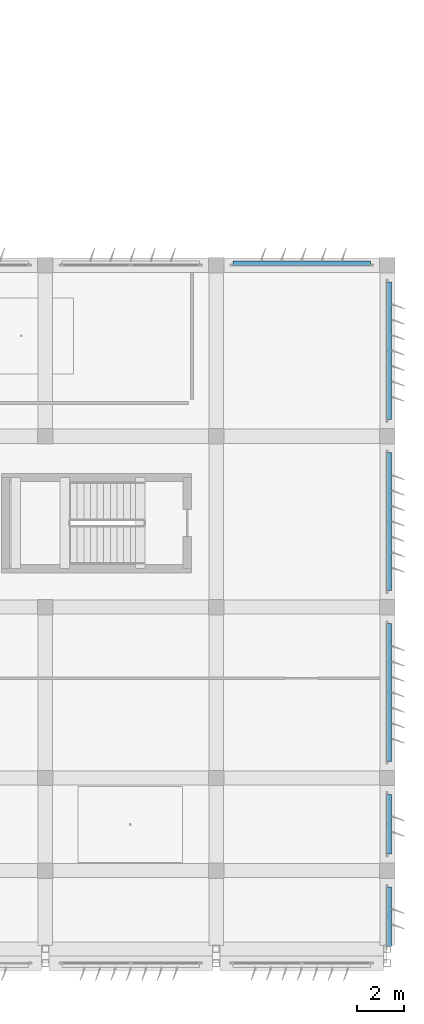
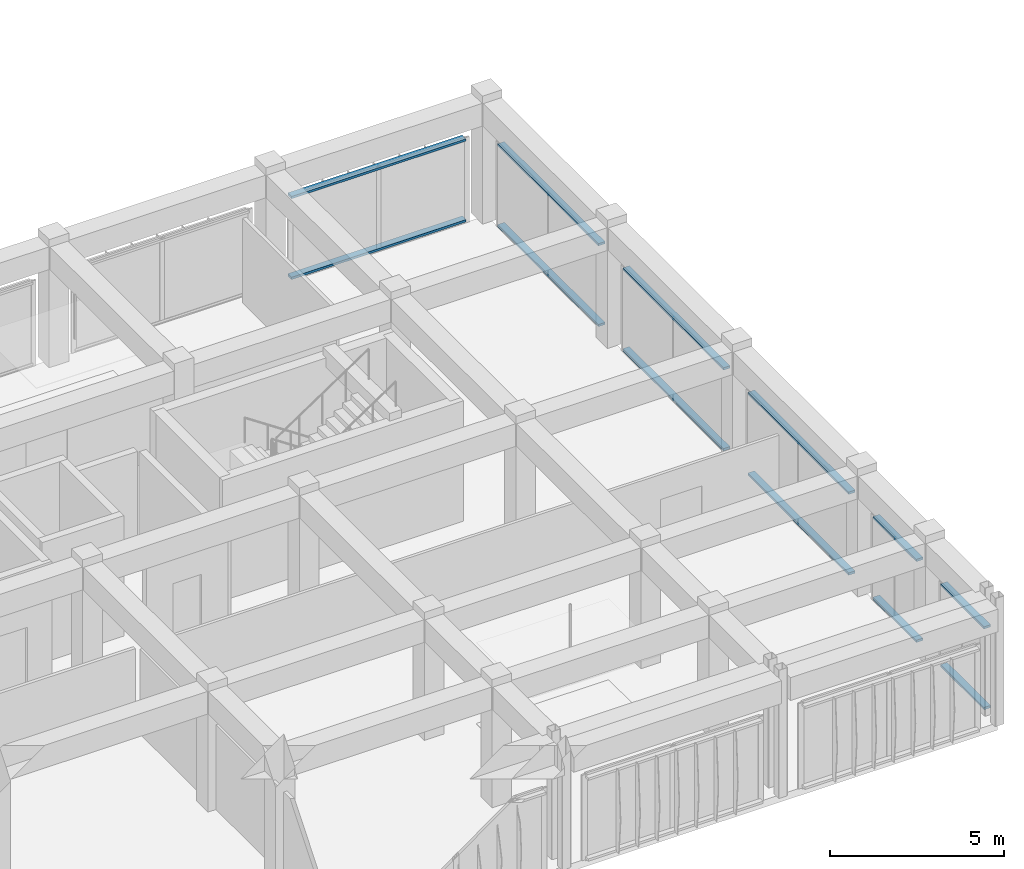
# One storey, part 46 of 56: 12 discrete accessories.
"""IFC4 building model written with IfcOpenShell, lengths in metres."""

from ifc_helpers import new_model, si_unit, direction, frame, origin, origin_2d, place, context, subcontext, project, spatial, rectangle, extrude, material, type_object, element, save


model = new_model("IFC4")

# Units and contexts
model_context = context("Model", 3, precision=1e-05, world=origin(), true_north=direction((0.0, 1.0)))
body_context = subcontext(model_context, "Body", "Model", "MODEL_VIEW")
ifc_project = project(units=[si_unit("LENGTHUNIT", "METRE"), si_unit("AREAUNIT", "SQUARE_METRE"), si_unit("VOLUMEUNIT", "CUBIC_METRE"), si_unit("PLANEANGLEUNIT", "RADIAN"), si_unit("MASSUNIT", "GRAM", prefix="KILO")], contexts=[model_context])

# Site, building, storey
site_placement = place(None, origin())
site = spatial("IfcSite", under=ifc_project, at=site_placement, CompositionType="ELEMENT")
building_placement = place(site_placement, origin())
building = spatial("IfcBuilding", under=site, at=building_placement, Name="Kazehaya Institute of Natural Sciences", CompositionType="ELEMENT")
storey_placement = place(building_placement, frame((0.0, 0.0, 28.800048828125)))
storey = spatial("IfcBuildingStorey", under=building, at=storey_placement, Name="L06", CompositionType="ELEMENT", Elevation=28.800048828125)

# Discrete accessories
ifc_material = material(Name="Aluminium alloy A6063S-T5", Category="aluminium")
discrete_accessory_type = type_object("IfcDiscreteAccessoryType", Name="ACC-BRK-01", PredefinedType="BRACKET", material=ifc_material)
for number, where, z_axis, x_axis, name in (
    (1, (115.800048828125, 35.675048828125, 0.039794921875), (0.0, 0.0, 1.0), (1.0, 0.0, 0.0), "L06 fin support outrigger rail 1"),
    (2, (115.800048828125, 35.675048828125, 2.8798828125), (0.0, 0.0, 1.0), (1.0, 0.0, 0.0), "L06 fin support outrigger rail 2"),
):
    element("IfcDiscreteAccessory", number, at=place(storey_placement, frame(where, z_axis=z_axis, x_axis=x_axis)), inside=storey, type_object=discrete_accessory_type, Name=name, PredefinedType="BRACKET", context=body_context, shape_type="SweptSolid", body=[
        extrude(rectangle(XDim=5.800048828125, YDim=0.219970703125, at=origin_2d()), origin(), (0.0, 0.0, 1.0), 0.080078125),
    ])
for number, where, z_axis, x_axis, name in (
    (3, (119.47509765625, 8.14990234375, 0.039794921875), (0.0, 0.0, 1.0), (0.0, -1.0, 0.0), "L06 fin support outrigger rail 1"),
    (4, (119.47509765625, 8.14990234375, 2.8798828125), (0.0, 0.0, 1.0), (0.0, -1.0, 0.0), "L06 fin support outrigger rail 2"),
    (5, (119.47509765625, 12.050048828125, 0.039794921875), (0.0, 0.0, 1.0), (0.0, -1.0, 0.0), "L06 fin support outrigger rail 1"),
    (6, (119.47509765625, 12.050048828125, 2.8798828125), (0.0, 0.0, 1.0), (0.0, -1.0, 0.0), "L06 fin support outrigger rail 2"),
):
    element("IfcDiscreteAccessory", number, at=place(storey_placement, frame(where, z_axis=z_axis, x_axis=x_axis)), inside=storey, type_object=discrete_accessory_type, Name=name, PredefinedType="BRACKET", context=body_context, shape_type="SweptSolid", body=[
        extrude(rectangle(XDim=2.5, YDim=0.219970703125, at=origin_2d()), origin(), (0.0, 0.0, 1.0), 0.080078125),
    ])
for number, where, z_axis, x_axis, name in (
    (7, (119.47509765625, 17.60009765625, 0.039794921875), (0.0, 0.0, 1.0), (0.0, -1.0, 0.0), "L06 fin support outrigger rail 1"),
    (8, (119.47509765625, 17.60009765625, 2.8798828125), (0.0, 0.0, 1.0), (0.0, -1.0, 0.0), "L06 fin support outrigger rail 2"),
    (9, (119.47509765625, 24.800048828125, 0.039794921875), (0.0, 0.0, 1.0), (0.0, -1.0, 0.0), "L06 fin support outrigger rail 1"),
    (10, (119.47509765625, 24.800048828125, 2.8798828125), (0.0, 0.0, 1.0), (0.0, -1.0, 0.0), "L06 fin support outrigger rail 2"),
    (11, (119.47509765625, 32.0, 0.039794921875), (0.0, 0.0, 1.0), (0.0, -1.0, 0.0), "L06 fin support outrigger rail 1"),
    (12, (119.47509765625, 32.0, 2.8798828125), (0.0, 0.0, 1.0), (0.0, -1.0, 0.0), "L06 fin support outrigger rail 2"),
):
    element("IfcDiscreteAccessory", number, at=place(storey_placement, frame(where, z_axis=z_axis, x_axis=x_axis)), inside=storey, type_object=discrete_accessory_type, Name=name, PredefinedType="BRACKET", context=body_context, shape_type="SweptSolid", body=[
        extrude(rectangle(XDim=5.800048828125, YDim=0.219970703125, at=origin_2d()), origin(), (0.0, 0.0, 1.0), 0.080078125),
    ])

save(model, "model.ifc")
